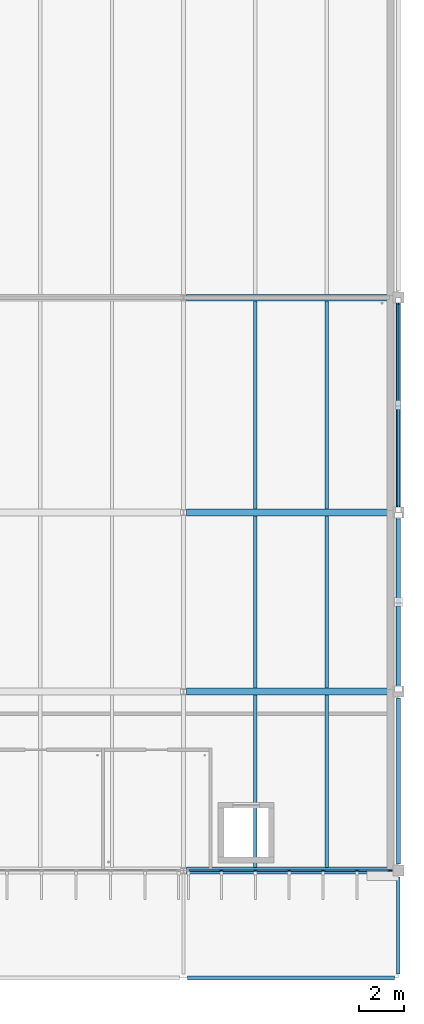
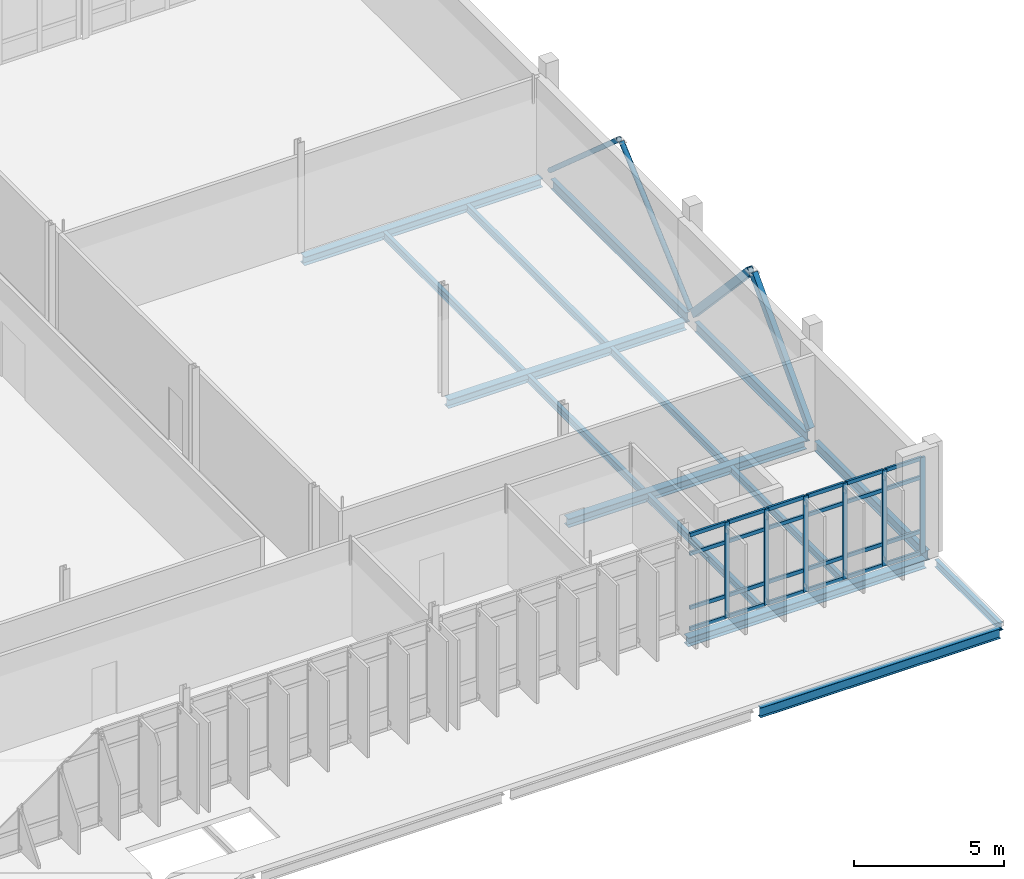
# One storey, part 42 of 107: 34 members, 15 beams, 1 element without a shape of its own.
"""IFC4 building model written with IfcOpenShell, lengths in metres."""

from ifc_helpers import new_model, si_unit, direction, frame, origin, origin_2d, place, context, subcontext, project, spatial, rectangle, hollow_rectangle, hollow_circle, i_section, extrude, material, material_profile, profile_set, type_object, element, aggregate, save


model = new_model("IFC4")

# Units and contexts
model_context = context("Model", 3, precision=1e-05, world=origin(), true_north=direction((0.0, 1.0)))
body_context = subcontext(model_context, "Body", "Model", "MODEL_VIEW")
ifc_project = project(units=[si_unit("LENGTHUNIT", "METRE"), si_unit("AREAUNIT", "SQUARE_METRE"), si_unit("VOLUMEUNIT", "CUBIC_METRE"), si_unit("PLANEANGLEUNIT", "RADIAN"), si_unit("MASSUNIT", "GRAM", prefix="KILO")], contexts=[model_context])

# Site, building, storey
site_placement = place(None, origin())
site = spatial("IfcSite", under=ifc_project, at=site_placement, CompositionType="ELEMENT")
building_placement = place(site_placement, origin())
building = spatial("IfcBuilding", under=site, at=building_placement, Name="Dunescarp Central Library", CompositionType="ELEMENT")
storey_placement = place(building_placement, frame((0.0, 0.0, 5.10009765625)))
storey = spatial("IfcBuildingStorey", under=building, at=storey_placement, Name="L01", CompositionType="ELEMENT", Elevation=5.10009765625)

# Curtain wall, members
ifc_material_1 = material(Name="Marine-grade anodised aluminium 6063-T6", Category="aluminium")
curtain_wall_type = type_object("IfcCurtainWallType", Name="ARC-CW-STICK", PredefinedType="NOTDEFINED", material=ifc_material_1)
curtain_wall_placement = place(storey_placement, origin())
curtain_wall = element("IfcCurtainWall", 1, at=curtain_wall_placement, inside=storey, type_object=curtain_wall_type, Name="L01 curtain wall CW-V5-156", PredefinedType="NOTDEFINED")
ifc_material_profile_1 = material_profile(ifc_material_1, rectangle(XDim=0.080078125, YDim=0.179931640625, at=origin_2d()), Name="AL 80x180")
ifc_profile_set_1 = profile_set([ifc_material_profile_1], Name="Marine-grade anodised aluminium 6063-T6")
member_type_1 = type_object("IfcMemberType", Name="ARC-CWM-180", PredefinedType="MULLION", material=ifc_profile_set_1)
member_1_placement = place(storey_placement, frame((167.625, 4.800048828125, 0.0), z_axis=(0.0, 0.0, 1.0), x_axis=(0.0, -1.0, 0.0)))
member_1 = element("IfcMember", 2, at=member_1_placement, type_object=member_type_1, Name="CW-V5-156 mullion 1", PredefinedType="MULLION", context=body_context, shape_type="SweptSolid", body=[
    extrude(rectangle(XDim=0.080078125, YDim=0.179931640625, at=origin_2d()), origin(), (0.0, 0.0, 1.0), 3.909912109375),
])
member_2_placement = place(storey_placement, frame((166.14990234375, 4.800048828125, 0.0), z_axis=(0.0, 0.0, 1.0), x_axis=(0.0, -1.0, 0.0)))
member_2 = element("IfcMember", 3, at=member_2_placement, type_object=member_type_1, Name="CW-V5-156 mullion 2", PredefinedType="MULLION", context=body_context, shape_type="SweptSolid", body=[
    extrude(rectangle(XDim=0.080078125, YDim=0.179931640625, at=origin_2d()), origin(), (0.0, 0.0, 1.0), 3.909912109375),
])
member_3_placement = place(storey_placement, frame((164.635009765625, 4.800048828125, 0.0), z_axis=(0.0, 0.0, 1.0), x_axis=(0.0, -1.0, 0.0)))
member_3 = element("IfcMember", 4, at=member_3_placement, type_object=member_type_1, Name="CW-V5-156 mullion 3", PredefinedType="MULLION", context=body_context, shape_type="SweptSolid", body=[
    extrude(rectangle(XDim=0.080078125, YDim=0.179931640625, at=origin_2d()), origin(), (0.0, 0.0, 1.0), 3.909912109375),
])
member_4_placement = place(storey_placement, frame((163.1201171875, 4.800048828125, 0.0), z_axis=(0.0, 0.0, 1.0), x_axis=(0.0, -1.0, 0.0)))
member_4 = element("IfcMember", 5, at=member_4_placement, type_object=member_type_1, Name="CW-V5-156 mullion 4", PredefinedType="MULLION", context=body_context, shape_type="SweptSolid", body=[
    extrude(rectangle(XDim=0.080078125, YDim=0.179931640625, at=origin_2d()), origin(), (0.0, 0.0, 1.0), 3.909912109375),
])
member_5_placement = place(storey_placement, frame((161.60498046875, 4.800048828125, 0.0), z_axis=(0.0, 0.0, 1.0), x_axis=(0.0, -1.0, 0.0)))
member_5 = element("IfcMember", 6, at=member_5_placement, type_object=member_type_1, Name="CW-V5-156 mullion 5", PredefinedType="MULLION", context=body_context, shape_type="SweptSolid", body=[
    extrude(rectangle(XDim=0.080078125, YDim=0.179931640625, at=origin_2d()), origin(), (0.0, 0.0, 1.0), 3.909912109375),
])
member_6_placement = place(storey_placement, frame((160.090087890625, 4.800048828125, 0.0), z_axis=(0.0, 0.0, 1.0), x_axis=(0.0, -1.0, 0.0)))
member_6 = element("IfcMember", 7, at=member_6_placement, type_object=member_type_1, Name="CW-V5-156 mullion 6", PredefinedType="MULLION", context=body_context, shape_type="SweptSolid", body=[
    extrude(rectangle(XDim=0.080078125, YDim=0.179931640625, at=origin_2d()), origin(), (0.0, 0.0, 1.0), 3.909912109375),
])
ifc_material_profile_2 = material_profile(ifc_material_1, rectangle(XDim=0.080078125, YDim=0.14990234375, at=origin_2d()), Name="AL 80x150")
ifc_profile_set_2 = profile_set([ifc_material_profile_2], Name="Marine-grade anodised aluminium 6063-T6")
member_type_2 = type_object("IfcMemberType", Name="ARC-CWT-150", PredefinedType="USERDEFINED", material=ifc_profile_set_2)
member_7_placement = place(storey_placement, frame((167.5849609375, 4.800048828125, 0.039794921875), z_axis=(-1.0, 0.0, 0.0), x_axis=(0.0, -1.0, 0.0)))
member_7 = element("IfcMember", 8, at=member_7_placement, type_object=member_type_2, Name="CW-V5-156 transom 1.1", ObjectType="TRANSOM", PredefinedType="USERDEFINED", context=body_context, shape_type="SweptSolid", body=[
    extrude(rectangle(XDim=0.080078125, YDim=0.14990234375, at=origin_2d()), origin(), (0.0, 0.0, 1.0), 1.39501953125),
])
member_8_placement = place(storey_placement, frame((167.5849609375, 4.800048828125, 0.89990234375), z_axis=(-1.0, 0.0, 0.0), x_axis=(0.0, -1.0, 0.0)))
member_8 = element("IfcMember", 9, at=member_8_placement, type_object=member_type_2, Name="CW-V5-156 transom 1.2", ObjectType="TRANSOM", PredefinedType="USERDEFINED", context=body_context, shape_type="SweptSolid", body=[
    extrude(rectangle(XDim=0.080078125, YDim=0.14990234375, at=origin_2d()), origin(), (0.0, 0.0, 1.0), 1.39501953125),
])
member_9_placement = place(storey_placement, frame((167.5849609375, 4.800048828125, 3.099853515625), z_axis=(-1.0, 0.0, 0.0), x_axis=(0.0, -1.0, 0.0)))
member_9 = element("IfcMember", 10, at=member_9_placement, type_object=member_type_2, Name="CW-V5-156 transom 1.3", ObjectType="TRANSOM", PredefinedType="USERDEFINED", context=body_context, shape_type="SweptSolid", body=[
    extrude(rectangle(XDim=0.080078125, YDim=0.14990234375, at=origin_2d()), origin(), (0.0, 0.0, 1.0), 1.39501953125),
])
member_10_placement = place(storey_placement, frame((167.5849609375, 4.800048828125, 3.869873046875), z_axis=(-1.0, 0.0, 0.0), x_axis=(0.0, -1.0, 0.0)))
member_10 = element("IfcMember", 11, at=member_10_placement, type_object=member_type_2, Name="CW-V5-156 transom 1.4", ObjectType="TRANSOM", PredefinedType="USERDEFINED", context=body_context, shape_type="SweptSolid", body=[
    extrude(rectangle(XDim=0.080078125, YDim=0.14990234375, at=origin_2d()), origin(), (0.0, 0.0, 1.0), 1.39501953125),
])
member_11_placement = place(storey_placement, frame((166.110107421875, 4.800048828125, 0.039794921875), z_axis=(-1.0, 0.0, 0.0), x_axis=(0.0, -1.0, 0.0)))
member_11 = element("IfcMember", 12, at=member_11_placement, type_object=member_type_2, Name="CW-V5-156 transom 2.1", ObjectType="TRANSOM", PredefinedType="USERDEFINED", context=body_context, shape_type="SweptSolid", body=[
    extrude(rectangle(XDim=0.080078125, YDim=0.14990234375, at=origin_2d()), origin(), (0.0, 0.0, 1.0), 1.43505859375),
])
member_12_placement = place(storey_placement, frame((166.110107421875, 4.800048828125, 0.89990234375), z_axis=(-1.0, 0.0, 0.0), x_axis=(0.0, -1.0, 0.0)))
member_12 = element("IfcMember", 13, at=member_12_placement, type_object=member_type_2, Name="CW-V5-156 transom 2.2", ObjectType="TRANSOM", PredefinedType="USERDEFINED", context=body_context, shape_type="SweptSolid", body=[
    extrude(rectangle(XDim=0.080078125, YDim=0.14990234375, at=origin_2d()), origin(), (0.0, 0.0, 1.0), 1.43505859375),
])
member_13_placement = place(storey_placement, frame((166.110107421875, 4.800048828125, 3.099853515625), z_axis=(-1.0, 0.0, 0.0), x_axis=(0.0, -1.0, 0.0)))
member_13 = element("IfcMember", 14, at=member_13_placement, type_object=member_type_2, Name="CW-V5-156 transom 2.3", ObjectType="TRANSOM", PredefinedType="USERDEFINED", context=body_context, shape_type="SweptSolid", body=[
    extrude(rectangle(XDim=0.080078125, YDim=0.14990234375, at=origin_2d()), origin(), (0.0, 0.0, 1.0), 1.43505859375),
])
member_14_placement = place(storey_placement, frame((166.110107421875, 4.800048828125, 3.869873046875), z_axis=(-1.0, 0.0, 0.0), x_axis=(0.0, -1.0, 0.0)))
member_14 = element("IfcMember", 15, at=member_14_placement, type_object=member_type_2, Name="CW-V5-156 transom 2.4", ObjectType="TRANSOM", PredefinedType="USERDEFINED", context=body_context, shape_type="SweptSolid", body=[
    extrude(rectangle(XDim=0.080078125, YDim=0.14990234375, at=origin_2d()), origin(), (0.0, 0.0, 1.0), 1.43505859375),
])
member_15_placement = place(storey_placement, frame((164.594970703125, 4.800048828125, 0.039794921875), z_axis=(-1.0, 0.0, 0.0), x_axis=(0.0, -1.0, 0.0)))
member_15 = element("IfcMember", 16, at=member_15_placement, type_object=member_type_2, Name="CW-V5-156 transom 3.1", ObjectType="TRANSOM", PredefinedType="USERDEFINED", context=body_context, shape_type="SweptSolid", body=[
    extrude(rectangle(XDim=0.080078125, YDim=0.14990234375, at=origin_2d()), origin(), (0.0, 0.0, 1.0), 1.43505859375),
])
member_16_placement = place(storey_placement, frame((164.594970703125, 4.800048828125, 0.89990234375), z_axis=(-1.0, 0.0, 0.0), x_axis=(0.0, -1.0, 0.0)))
member_16 = element("IfcMember", 17, at=member_16_placement, type_object=member_type_2, Name="CW-V5-156 transom 3.2", ObjectType="TRANSOM", PredefinedType="USERDEFINED", context=body_context, shape_type="SweptSolid", body=[
    extrude(rectangle(XDim=0.080078125, YDim=0.14990234375, at=origin_2d()), origin(), (0.0, 0.0, 1.0), 1.43505859375),
])
member_17_placement = place(storey_placement, frame((164.594970703125, 4.800048828125, 3.099853515625), z_axis=(-1.0, 0.0, 0.0), x_axis=(0.0, -1.0, 0.0)))
member_17 = element("IfcMember", 18, at=member_17_placement, type_object=member_type_2, Name="CW-V5-156 transom 3.3", ObjectType="TRANSOM", PredefinedType="USERDEFINED", context=body_context, shape_type="SweptSolid", body=[
    extrude(rectangle(XDim=0.080078125, YDim=0.14990234375, at=origin_2d()), origin(), (0.0, 0.0, 1.0), 1.43505859375),
])
member_18_placement = place(storey_placement, frame((164.594970703125, 4.800048828125, 3.869873046875), z_axis=(-1.0, 0.0, 0.0), x_axis=(0.0, -1.0, 0.0)))
member_18 = element("IfcMember", 19, at=member_18_placement, type_object=member_type_2, Name="CW-V5-156 transom 3.4", ObjectType="TRANSOM", PredefinedType="USERDEFINED", context=body_context, shape_type="SweptSolid", body=[
    extrude(rectangle(XDim=0.080078125, YDim=0.14990234375, at=origin_2d()), origin(), (0.0, 0.0, 1.0), 1.43505859375),
])
member_19_placement = place(storey_placement, frame((163.080078125, 4.800048828125, 0.039794921875), z_axis=(-1.0, 0.0, 0.0), x_axis=(0.0, -1.0, 0.0)))
member_19 = element("IfcMember", 20, at=member_19_placement, type_object=member_type_2, Name="CW-V5-156 transom 4.1", ObjectType="TRANSOM", PredefinedType="USERDEFINED", context=body_context, shape_type="SweptSolid", body=[
    extrude(rectangle(XDim=0.080078125, YDim=0.14990234375, at=origin_2d()), origin(), (0.0, 0.0, 1.0), 1.43505859375),
])
member_20_placement = place(storey_placement, frame((163.080078125, 4.800048828125, 0.89990234375), z_axis=(-1.0, 0.0, 0.0), x_axis=(0.0, -1.0, 0.0)))
member_20 = element("IfcMember", 21, at=member_20_placement, type_object=member_type_2, Name="CW-V5-156 transom 4.2", ObjectType="TRANSOM", PredefinedType="USERDEFINED", context=body_context, shape_type="SweptSolid", body=[
    extrude(rectangle(XDim=0.080078125, YDim=0.14990234375, at=origin_2d()), origin(), (0.0, 0.0, 1.0), 1.43505859375),
])
member_21_placement = place(storey_placement, frame((163.080078125, 4.800048828125, 3.099853515625), z_axis=(-1.0, 0.0, 0.0), x_axis=(0.0, -1.0, 0.0)))
member_21 = element("IfcMember", 22, at=member_21_placement, type_object=member_type_2, Name="CW-V5-156 transom 4.3", ObjectType="TRANSOM", PredefinedType="USERDEFINED", context=body_context, shape_type="SweptSolid", body=[
    extrude(rectangle(XDim=0.080078125, YDim=0.14990234375, at=origin_2d()), origin(), (0.0, 0.0, 1.0), 1.43505859375),
])
member_22_placement = place(storey_placement, frame((163.080078125, 4.800048828125, 3.869873046875), z_axis=(-1.0, 0.0, 0.0), x_axis=(0.0, -1.0, 0.0)))
member_22 = element("IfcMember", 23, at=member_22_placement, type_object=member_type_2, Name="CW-V5-156 transom 4.4", ObjectType="TRANSOM", PredefinedType="USERDEFINED", context=body_context, shape_type="SweptSolid", body=[
    extrude(rectangle(XDim=0.080078125, YDim=0.14990234375, at=origin_2d()), origin(), (0.0, 0.0, 1.0), 1.43505859375),
])
member_23_placement = place(storey_placement, frame((161.56494140625, 4.800048828125, 0.039794921875), z_axis=(-1.0, 0.0, 0.0), x_axis=(0.0, -1.0, 0.0)))
member_23 = element("IfcMember", 24, at=member_23_placement, type_object=member_type_2, Name="CW-V5-156 transom 5.1", ObjectType="TRANSOM", PredefinedType="USERDEFINED", context=body_context, shape_type="SweptSolid", body=[
    extrude(rectangle(XDim=0.080078125, YDim=0.14990234375, at=origin_2d()), origin(), (0.0, 0.0, 1.0), 1.43505859375),
])
member_24_placement = place(storey_placement, frame((161.56494140625, 4.800048828125, 0.89990234375), z_axis=(-1.0, 0.0, 0.0), x_axis=(0.0, -1.0, 0.0)))
member_24 = element("IfcMember", 25, at=member_24_placement, type_object=member_type_2, Name="CW-V5-156 transom 5.2", ObjectType="TRANSOM", PredefinedType="USERDEFINED", context=body_context, shape_type="SweptSolid", body=[
    extrude(rectangle(XDim=0.080078125, YDim=0.14990234375, at=origin_2d()), origin(), (0.0, 0.0, 1.0), 1.43505859375),
])
member_25_placement = place(storey_placement, frame((161.56494140625, 4.800048828125, 3.099853515625), z_axis=(-1.0, 0.0, 0.0), x_axis=(0.0, -1.0, 0.0)))
member_25 = element("IfcMember", 26, at=member_25_placement, type_object=member_type_2, Name="CW-V5-156 transom 5.3", ObjectType="TRANSOM", PredefinedType="USERDEFINED", context=body_context, shape_type="SweptSolid", body=[
    extrude(rectangle(XDim=0.080078125, YDim=0.14990234375, at=origin_2d()), origin(), (0.0, 0.0, 1.0), 1.43505859375),
])
member_26_placement = place(storey_placement, frame((161.56494140625, 4.800048828125, 3.869873046875), z_axis=(-1.0, 0.0, 0.0), x_axis=(0.0, -1.0, 0.0)))
member_26 = element("IfcMember", 27, at=member_26_placement, type_object=member_type_2, Name="CW-V5-156 transom 5.4", ObjectType="TRANSOM", PredefinedType="USERDEFINED", context=body_context, shape_type="SweptSolid", body=[
    extrude(rectangle(XDim=0.080078125, YDim=0.14990234375, at=origin_2d()), origin(), (0.0, 0.0, 1.0), 1.43505859375),
])
member_27_placement = place(storey_placement, frame((160.050048828125, 4.800048828125, 0.039794921875), z_axis=(-1.0, 0.0, 0.0), x_axis=(0.0, -1.0, 0.0)))
member_27 = element("IfcMember", 28, at=member_27_placement, type_object=member_type_2, Name="CW-V5-156 transom 6.1", ObjectType="TRANSOM", PredefinedType="USERDEFINED", context=body_context, shape_type="SweptSolid", body=[
    extrude(rectangle(XDim=0.080078125, YDim=0.14990234375, at=origin_2d()), origin(), (0.0, 0.0, 1.0), 1.39501953125),
])
member_28_placement = place(storey_placement, frame((160.050048828125, 4.800048828125, 0.89990234375), z_axis=(-1.0, 0.0, 0.0), x_axis=(0.0, -1.0, 0.0)))
member_28 = element("IfcMember", 29, at=member_28_placement, type_object=member_type_2, Name="CW-V5-156 transom 6.2", ObjectType="TRANSOM", PredefinedType="USERDEFINED", context=body_context, shape_type="SweptSolid", body=[
    extrude(rectangle(XDim=0.080078125, YDim=0.14990234375, at=origin_2d()), origin(), (0.0, 0.0, 1.0), 1.39501953125),
])
member_29_placement = place(storey_placement, frame((160.050048828125, 4.800048828125, 3.099853515625), z_axis=(-1.0, 0.0, 0.0), x_axis=(0.0, -1.0, 0.0)))
member_29 = element("IfcMember", 30, at=member_29_placement, type_object=member_type_2, Name="CW-V5-156 transom 6.3", ObjectType="TRANSOM", PredefinedType="USERDEFINED", context=body_context, shape_type="SweptSolid", body=[
    extrude(rectangle(XDim=0.080078125, YDim=0.14990234375, at=origin_2d()), origin(), (0.0, 0.0, 1.0), 1.39501953125),
])
member_30_placement = place(storey_placement, frame((160.050048828125, 4.800048828125, 3.869873046875), z_axis=(-1.0, 0.0, 0.0), x_axis=(0.0, -1.0, 0.0)))
member_30 = element("IfcMember", 31, at=member_30_placement, type_object=member_type_2, Name="CW-V5-156 transom 6.4", ObjectType="TRANSOM", PredefinedType="USERDEFINED", context=body_context, shape_type="SweptSolid", body=[
    extrude(rectangle(XDim=0.080078125, YDim=0.14990234375, at=origin_2d()), origin(), (0.0, 0.0, 1.0), 1.39501953125),
])
aggregate(curtain_wall, [member_1, member_2, member_3, member_4, member_5, member_6, member_7, member_8, member_9, member_10, member_11, member_12, member_13, member_14, member_15, member_16, member_17, member_18, member_19, member_20, member_21, member_22, member_23, member_24, member_25, member_26, member_27, member_28, member_29, member_30])

# Beams
ifc_material_2 = material(Name="Steel S355JR", Category="steel")
ifc_material_profile_3 = material_profile(ifc_material_2, i_section(OverallWidth=0.300048828125, OverallDepth=0.35009765625, WebThickness=0.010009765625, FlangeThickness=0.017578125, at=origin_2d()), Name="HEA 360")
ifc_profile_set_3 = profile_set([ifc_material_profile_3], Name="Steel S355JR")
beam_type_1 = type_object("IfcBeamType", Name="STR-BM-IPE400", PredefinedType="BEAM", material=ifc_profile_set_3)
for number, where, z_axis, x_axis, name in (
    (32, (158.528076171875, 4.800048828125, -0.39501953125), (1.0, 0.0, 0.0), (0.0, 1.0, 0.0), "L01 girder BM-L01-1126"),
    (33, (158.528076171875, 12.800048828125, -0.39501953125), (1.0, 0.0, 0.0), (0.0, 1.0, 0.0), "L01 girder BM-L01-1127"),
    (34, (158.528076171875, 20.800048828125, -0.39501953125), (1.0, 0.0, 0.0), (0.0, 1.0, 0.0), "L01 girder BM-L01-1131"),
    (35, (158.528076171875, 30.39990234375, -0.39501953125), (1.0, 0.0, 0.0), (0.0, 1.0, 0.0), "L01 girder BM-L01-1135"),
):
    element("IfcBeam", number, at=place(storey_placement, frame(where, z_axis=z_axis, x_axis=x_axis)), inside=storey, type_object=beam_type_1, Name=name, PredefinedType="BEAM", context=body_context, shape_type="SweptSolid", body=[
        extrude(i_section(OverallWidth=0.300048828125, OverallDepth=0.35009765625, WebThickness=0.010009765625, FlangeThickness=0.017578125, at=origin_2d()), origin(), (0.0, 0.0, 1.0), 9.1748046875),
    ])
ifc_material_profile_4 = material_profile(ifc_material_2, i_section(OverallWidth=0.179443359375, OverallDepth=0.412841796875, WebThickness=0.009521484375, FlangeThickness=0.01611328125, at=origin_2d()), Name="UB 406x178x74")
ifc_profile_set_4 = profile_set([ifc_material_profile_4], Name="Steel S355JR")
beam_type_2 = type_object("IfcBeamType", Name="STR-BM-UB406", PredefinedType="BEAM", material=ifc_profile_set_4)
for number, where, z_axis, x_axis, name in (
    (36, (168.0, 5.096923828125, -0.426025390625), (0.0, 1.0, 0.0), (-1.0, 0.0, 0.0), "L01 girder BM-L01-1128"),
    (37, (168.0, 13.096923828125, -0.426025390625), (0.0, 1.0, 0.0), (-1.0, 0.0, 0.0), "L01 girder BM-L01-1132"),
):
    element("IfcBeam", number, at=place(storey_placement, frame(where, z_axis=z_axis, x_axis=x_axis)), inside=storey, type_object=beam_type_2, Name=name, PredefinedType="BEAM", context=body_context, shape_type="SweptSolid", body=[
        extrude(i_section(OverallWidth=0.179443359375, OverallDepth=0.412841796875, WebThickness=0.009521484375, FlangeThickness=0.01611328125, at=origin_2d()), origin(), (0.0, 0.0, 1.0), 7.406005859375),
    ])
beam_1_placement = place(storey_placement, frame((168.0, 21.096923828125, -0.426025390625), z_axis=(0.0, 1.0, 0.0), x_axis=(-1.0, 0.0, 0.0)))
element("IfcBeam", 38, at=beam_1_placement, inside=storey, type_object=beam_type_2, Name="L01 girder BM-L01-1136", PredefinedType="BEAM", context=body_context, shape_type="SweptSolid", body=[
    extrude(i_section(OverallWidth=0.179443359375, OverallDepth=0.412841796875, WebThickness=0.009521484375, FlangeThickness=0.01611328125, at=origin_2d()), origin(), (0.0, 0.0, 1.0), 9.006103515625),
])

# Members
ifc_material_3 = material(Name="Steel S355J0", Category="steel")
ifc_material_profile_5 = material_profile(ifc_material_3, hollow_circle(Radius=0.096923828125, WallThickness=0.010009765625, at=origin_2d()), Name="CHS 193.7x10")
ifc_profile_set_5 = profile_set([ifc_material_profile_5], Name="Steel S355J0")
member_type_3 = type_object("IfcMemberType", Name="STR-BR-193", PredefinedType="BRACE", material=ifc_profile_set_5)
for number, where, z_axis, x_axis, name in (
    (39, (168.0, 20.919921875, 0.0), (0.0, 0.750574418403, 0.660785927846), (-1.0, 0.0, 0.0), "L01 concentric brace BR-L01-065"),
    (40, (168.0, 30.280029296875, 0.0), (0.0, -0.750574418403, 0.660785927846), (1.0, 0.0, 0.0), "L01 concentric brace BR-L01-066"),
):
    element("IfcMember", number, at=place(storey_placement, frame(where, z_axis=z_axis, x_axis=x_axis)), inside=storey, type_object=member_type_3, Name=name, PredefinedType="BRACE", context=body_context, shape_type="SweptSolid", body=[
        extrude(hollow_circle(Radius=0.096923828125, WallThickness=0.010009765625, at=origin_2d()), origin(), (0.0, 0.0, 1.0), 6.128662109375),
    ])
ifc_material_profile_6 = material_profile(ifc_material_3, hollow_rectangle(XDim=0.199951171875, YDim=0.300048828125, WallThickness=0.010009765625, at=origin_2d()), Name="RHS 300x200x10")
ifc_profile_set_6 = profile_set([ifc_material_profile_6], Name="Steel S355J0")
member_type_4 = type_object("IfcMemberType", Name="STR-BR-RHS300", PredefinedType="BRACE", material=ifc_profile_set_6)
for number, where, z_axis, x_axis, name in (
    (41, (168.0, 12.919921875, 0.0), (0.0, 0.684262777429, 0.729235525345), (-1.0, 0.0, 0.0), "L01 concentric brace BR-L01-061"),
    (42, (168.0, 20.679931640625, 0.0), (0.0, -0.684262777429, 0.729235525345), (1.0, 0.0, 0.0), "L01 concentric brace BR-L01-062"),
):
    element("IfcMember", number, at=place(storey_placement, frame(where, z_axis=z_axis, x_axis=x_axis)), inside=storey, type_object=member_type_4, Name=name, PredefinedType="BRACE", context=body_context, shape_type="SweptSolid", body=[
        extrude(hollow_rectangle(XDim=0.199951171875, YDim=0.300048828125, WallThickness=0.010009765625, at=origin_2d()), origin(), (0.0, 0.0, 1.0), 5.553466796875),
    ])

# Beams
ifc_material_profile_7 = material_profile(ifc_material_2, i_section(OverallWidth=0.14990234375, OverallDepth=0.300048828125, WebThickness=0.007080078125, FlangeThickness=0.0107421875, at=origin_2d()), Name="IPE 300")
ifc_profile_set_7 = profile_set([ifc_material_profile_7], Name="Steel S355JR")
beam_type_3 = type_object("IfcBeamType", Name="STR-JS-IPE300", PredefinedType="JOIST", material=ifc_profile_set_7)
for number, where, z_axis, x_axis, name in (
    (43, (161.60009765625, 4.947998046875, -0.3701171875), (0.0, 1.0, 0.0), (-1.0, 0.0, 0.0), "L01 joist JS-L01-1129"),
    (44, (164.800048828125, 4.947998046875, -0.3701171875), (0.0, 1.0, 0.0), (-1.0, 0.0, 0.0), "L01 joist JS-L01-1130"),
    (45, (161.60009765625, 12.947998046875, -0.3701171875), (0.0, 1.0, 0.0), (-1.0, 0.0, 0.0), "L01 joist JS-L01-1133"),
    (46, (164.800048828125, 12.947998046875, -0.3701171875), (0.0, 1.0, 0.0), (-1.0, 0.0, 0.0), "L01 joist JS-L01-1134"),
):
    element("IfcBeam", number, at=place(storey_placement, frame(where, z_axis=z_axis, x_axis=x_axis)), inside=storey, type_object=beam_type_3, Name=name, PredefinedType="JOIST", context=body_context, shape_type="SweptSolid", body=[
        extrude(i_section(OverallWidth=0.14990234375, OverallDepth=0.300048828125, WebThickness=0.007080078125, FlangeThickness=0.0107421875, at=origin_2d()), origin(), (0.0, 0.0, 1.0), 7.7041015625),
    ])
for number, where, z_axis, x_axis, name in (
    (47, (161.60009765625, 20.947998046875, -0.3701171875), (0.0, 1.0, 0.0), (-1.0, 0.0, 0.0), "L01 joist JS-L01-1137"),
    (48, (164.800048828125, 20.947998046875, -0.3701171875), (0.0, 1.0, 0.0), (-1.0, 0.0, 0.0), "L01 joist JS-L01-1138"),
):
    element("IfcBeam", number, at=place(storey_placement, frame(where, z_axis=z_axis, x_axis=x_axis)), inside=storey, type_object=beam_type_3, Name=name, PredefinedType="JOIST", context=body_context, shape_type="SweptSolid", body=[
        extrude(i_section(OverallWidth=0.14990234375, OverallDepth=0.300048828125, WebThickness=0.007080078125, FlangeThickness=0.0107421875, at=origin_2d()), origin(), (0.0, 0.0, 1.0), 9.303955078125),
    ])
beam_2_placement = place(storey_placement, frame((168.0, 0.175048828125, -0.35009765625), z_axis=(0.0, 1.0, 0.0), x_axis=(-1.0, 0.0, 0.0)))
element("IfcBeam", 49, at=beam_2_placement, inside=storey, type_object=beam_type_3, Name="Colonnade tie beam BM-L01-1473", PredefinedType="JOIST", context=body_context, shape_type="SweptSolid", body=[
    extrude(i_section(OverallWidth=0.14990234375, OverallDepth=0.300048828125, WebThickness=0.007080078125, FlangeThickness=0.0107421875, at=origin_2d()), origin(), (0.0, 0.0, 1.0), 4.327880859375),
])
ifc_material_profile_8 = material_profile(ifc_material_2, i_section(OverallWidth=0.177978515625, OverallDepth=0.406494140625, WebThickness=0.0078125, FlangeThickness=0.0126953125, at=origin_2d()), Name="UB 406x178x60")
ifc_profile_set_8 = profile_set([ifc_material_profile_8], Name="Steel S355JR")
beam_type_4 = type_object("IfcBeamType", Name="STR-SP-UB406", PredefinedType="SPANDREL", material=ifc_profile_set_8)
beam_3_placement = place(storey_placement, frame((158.574951171875, 0.0, -0.403076171875), z_axis=(1.0, 0.0, 0.0), x_axis=(0.0, 1.0, 0.0)))
element("IfcBeam", 50, at=beam_3_placement, inside=storey, type_object=beam_type_4, Name="Colonnade spandrel SP-L01-1468", PredefinedType="SPANDREL", context=body_context, shape_type="SweptSolid", body=[
    extrude(i_section(OverallWidth=0.177978515625, OverallDepth=0.406494140625, WebThickness=0.0078125, FlangeThickness=0.0126953125, at=origin_2d()), origin(), (0.0, 0.0, 1.0), 9.25),
])

save(model, "model.ifc")
